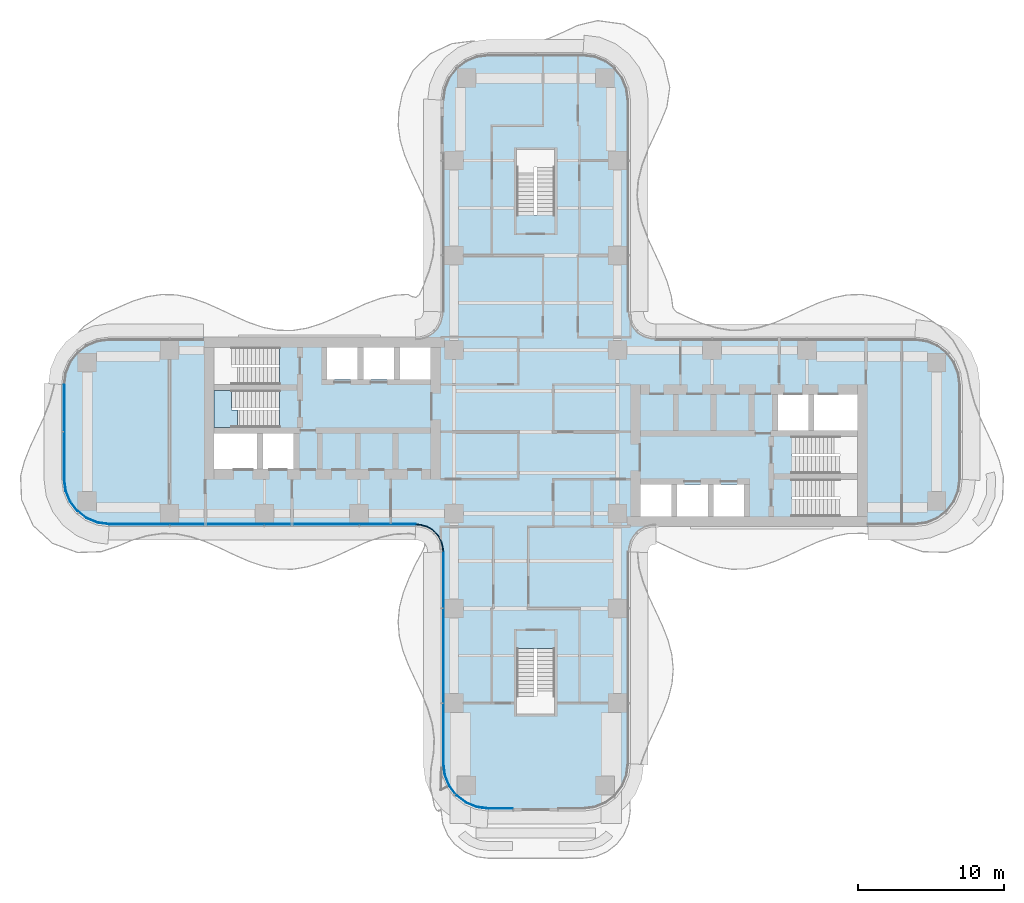
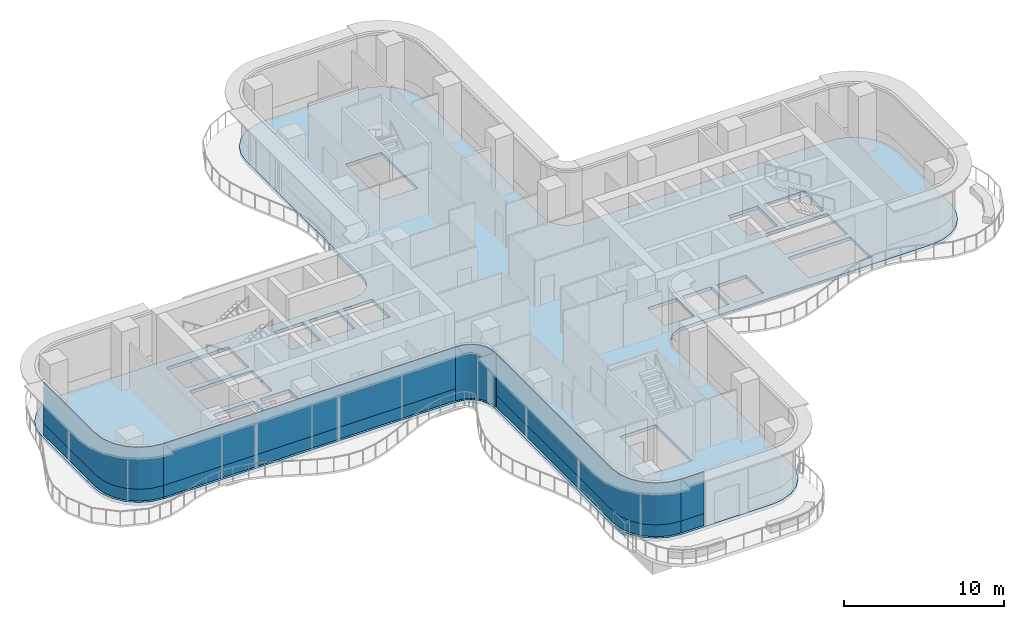
# One storey, part 13 of 22: 9 plates, 2 slabs, 6 elements without a shape of their own.
"""IFC4 building model written with IfcOpenShell, lengths in metres."""

from ifc_helpers import new_model, si_unit, direction, frame, origin, place, context, subcontext, project, spatial, polyline, outline, extrude, source, transform, mapped, material, layer, layer_set, type_object, element, aggregate, save


model = new_model("IFC4")

# Units and contexts
model_context = context("Model", 3, precision=1e-05, world=origin(), true_north=direction((0.0, 1.0)))
body_context = subcontext(model_context, "Body", "Model", "MODEL_VIEW")
ifc_project = project(units=[si_unit("LENGTHUNIT", "METRE"), si_unit("AREAUNIT", "SQUARE_METRE"), si_unit("VOLUMEUNIT", "CUBIC_METRE"), si_unit("PLANEANGLEUNIT", "RADIAN"), si_unit("MASSUNIT", "GRAM", prefix="KILO")], contexts=[model_context])

# Site, building, storey
site_placement = place(None, origin())
site = spatial("IfcSite", under=ifc_project, at=site_placement, CompositionType="ELEMENT")
building_placement = place(site_placement, origin())
building = spatial("IfcBuilding", under=site, at=building_placement, Name="Trellis Farm Tower", CompositionType="ELEMENT")
storey_placement = place(building_placement, frame((0.0, 0.0, 124.5)))
storey = spatial("IfcBuildingStorey", under=building, at=storey_placement, Name="L26", CompositionType="ELEMENT", Elevation=124.5)

# Curtain wall, plates
ifc_material_1 = material(Name="Aluminium and glass curtain wall", Category="aluminium")
ifc_layer_1 = layer(ifc_material_1, 0.18994140625)
ifc_layer_set_1 = layer_set([ifc_layer_1], Name="RIBBON CURTAIN WALL CW1")
curtain_wall_type_1 = type_object("IfcCurtainWallType", Name="RIBBON CURTAIN WALL CW1", PredefinedType="NOTDEFINED", material=ifc_layer_set_1)
placement_1 = place(storey_placement, origin())
curtain_wall_1 = element("IfcCurtainWall", 1, at=placement_1, inside=storey, type_object=curtain_wall_type_1, Name="CW1 003", PredefinedType="NOTDEFINED")
ifc_material_2 = material(Name="Clear insulated glass", Category="glass")
ifc_layer_2 = layer(ifc_material_2, 0.0400390625)
ifc_layer_set_2 = layer_set([ifc_layer_2], Name="CW1 GLASS PANEL 40")
plate_type_1 = type_object("IfcPlateType", Name="CW1 GLASS PANEL 40", PredefinedType="CURTAIN_PANEL", material=ifc_layer_set_2)
placement_2 = place(storey_placement, frame((0.0, 0.0, 0.89990234375)))
plate_1 = element("IfcPlate", 2, at=placement_2, type_object=plate_type_1, Name="PL1 003", PredefinedType="CURTAIN_PANEL", context=body_context, shape_type="SweptSolid", body=[
    extrude(outline(polyline([(-3.240234375, -25.85009765625), (-1.56005859375, -25.85009765625), (-1.56005859375, -25.81005859375), (-3.237548828125, -25.81005859375), (-3.240234375, -25.85009765625)])), origin(), (0.0, 0.0, 1.0), 3.170166015625),
])
ifc_material_3 = material(Name="Sandstone faced insulated panel", Category="masonry")
ifc_layer_3 = layer(ifc_material_3, 0.050048828125)
ifc_layer_set_3 = layer_set([ifc_layer_3], Name="CW1 STONE SPANDREL PANEL 50")
plate_type_2 = type_object("IfcPlateType", Name="CW1 STONE SPANDREL PANEL 50", PredefinedType="CURTAIN_PANEL", material=ifc_layer_set_3)
plate_2 = element("IfcPlate", 3, at=placement_1, type_object=plate_type_2, Name="PS1 003", PredefinedType="CURTAIN_PANEL", context=body_context, shape_type="SweptSolid", body=[
    extrude(outline(polyline([(-3.240234375, -25.85009765625), (-1.56005859375, -25.85009765625), (-1.56005859375, -25.800048828125), (-3.23681640625, -25.800048828125), (-3.240234375, -25.85009765625)])), origin(), (0.0, 0.0, 1.0), 0.89990234375),
])
aggregate(curtain_wall_1, [plate_1, plate_2])

# Slab
ifc_material_4 = material(Name="Concrete C40/50", Category="concrete")
ifc_layer_4 = layer(ifc_material_4, 0.25)
ifc_layer_set_4 = layer_set([ifc_layer_4], Name="Composite deck floor slab 250")
slab_type_1 = type_object("IfcSlabType", Name="Composite deck floor slab 250", PredefinedType="FLOOR", material=ifc_layer_set_4)
shared_shape_1 = source(origin(), body_context, "Body", "SweptSolid", [
    extrude(outline(polyline([(-30.09130859375, -6.389404296875), (-30.875, -6.064697265625), (-31.548095703125, -5.548095703125), (-32.064697265625, -4.875), (-32.389404296875, -4.09130859375), (-32.5, -3.25), (-32.5, 3.25), (-32.389404296875, 4.09130859375), (-32.064697265625, 4.875), (-31.548095703125, 5.548095703125), (-30.875, 6.064697265625), (-30.09130859375, 6.389404296875), (-29.25, 6.5), (-8.2314453125, 6.5), (-8.01953125, 6.513916015625), (-7.91552734375, 6.527587890625), (-7.508544921875, 6.63671875), (-7.144287109375, 6.846923828125), (-6.846923828125, 7.144287109375), (-6.63671875, 7.508544921875), (-6.527587890625, 7.91552734375), (-6.513916015625, 8.01953125), (-6.5, 8.2314453125), (-6.5, 22.75), (-6.389404296875, 23.59130859375), (-6.064697265625, 24.375), (-5.548095703125, 25.048095703125), (-4.875, 25.564697265625), (-4.09130859375, 25.889404296875), (-3.25, 26.0), (3.25, 26.0), (4.09130859375, 25.889404296875), (4.875, 25.564697265625), (5.548095703125, 25.048095703125), (6.064697265625, 24.375), (6.389404296875, 23.59130859375), (6.5, 22.75), (6.5, 8.2314453125), (6.513916015625, 8.01953125), (6.527587890625, 7.91552734375), (6.63671875, 7.508544921875), (6.846923828125, 7.144287109375), (7.144287109375, 6.846923828125), (7.508544921875, 6.63671875), (7.91552734375, 6.527587890625), (8.01953125, 6.513916015625), (8.2314453125, 6.5), (26.0, 6.5), (26.84130859375, 6.389404296875), (27.625, 6.064697265625), (28.298095703125, 5.548095703125), (28.814697265625, 4.875), (29.139404296875, 4.09130859375), (29.25, 3.25), (29.25, -3.25), (29.139404296875, -4.09130859375), (28.814697265625, -4.875), (28.298095703125, -5.548095703125), (27.625, -6.064697265625), (26.84130859375, -6.389404296875), (26.0, -6.5), (8.2314453125, -6.5), (8.01953125, -6.513916015625), (7.91552734375, -6.527587890625), (7.508544921875, -6.63671875), (7.144287109375, -6.846923828125), (6.846923828125, -7.144287109375), (6.63671875, -7.508544921875), (6.527587890625, -7.91552734375), (6.513916015625, -8.01953125), (6.5, -8.2314453125), (6.5, -22.75), (6.389404296875, -23.59130859375), (6.064697265625, -24.375), (5.548095703125, -25.048095703125), (4.875, -25.564697265625), (4.09130859375, -25.889404296875), (3.25, -26.0), (-3.25, -26.0), (-4.09130859375, -25.889404296875), (-4.875, -25.564697265625), (-5.548095703125, -25.048095703125), (-6.064697265625, -24.375), (-6.389404296875, -23.59130859375), (-6.5, -22.75), (-6.5, -8.2314453125), (-6.513916015625, -8.01953125), (-6.527587890625, -7.91552734375), (-6.63671875, -7.508544921875), (-6.846923828125, -7.144287109375), (-7.144287109375, -6.846923828125), (-7.508544921875, -6.63671875), (-7.91552734375, -6.527587890625), (-8.01953125, -6.513916015625), (-8.2314453125, -6.5), (-29.25, -6.5), (-30.09130859375, -6.389404296875)]), holes=[polyline([(-22.050048828125, -0.10009765625), (-22.050048828125, -2.550048828125), (-19.10009765625, -2.550048828125), (-19.10009765625, -0.10009765625), (-22.050048828125, -0.10009765625)]), polyline([(-18.699951171875, -0.10009765625), (-18.699951171875, -2.550048828125), (-16.60009765625, -2.550048828125), (-16.60009765625, -0.10009765625), (-18.699951171875, -0.10009765625)]), polyline([(-17.56201171875, 1.64990234375), (-17.56201171875, 2.85009765625), (-22.050048828125, 2.85009765625), (-22.050048828125, 0.300048828125), (-17.56005859375, 0.300048828125), (-17.56005859375, 1.5), (-17.550048828125, 1.5), (-17.550048828125, 1.64990234375), (-17.56201171875, 1.64990234375)]), polyline([(-17.56201171875, 4.60009765625), (-17.56201171875, 5.800048828125), (-22.050048828125, 5.800048828125), (-22.050048828125, 3.25), (-17.56005859375, 3.25), (-17.56005859375, 4.449951171875), (-17.550048828125, 4.449951171875), (-17.550048828125, 4.60009765625), (-17.56201171875, 4.60009765625)]), polyline([(-14.300048828125, 5.800048828125), (-14.300048828125, 3.60009765625), (-12.199951171875, 3.60009765625), (-12.199951171875, 5.800048828125), (-14.300048828125, 5.800048828125)]), polyline([(-11.800048828125, 5.800048828125), (-11.800048828125, 3.60009765625), (-9.699951171875, 3.60009765625), (-9.699951171875, 5.800048828125), (-11.800048828125, 5.800048828125)]), polyline([(-9.300048828125, 5.800048828125), (-9.300048828125, 3.60009765625), (-7.199951171875, 3.60009765625), (-7.199951171875, 5.800048828125), (-9.300048828125, 5.800048828125)]), polyline([(0.10009765625, 14.862060546875), (1.300048828125, 14.862060546875), (1.300048828125, 19.35009765625), (-1.300048828125, 19.35009765625), (-1.300048828125, 14.860107421875), (-0.10009765625, 14.860107421875), (-0.10009765625, 14.85009765625), (0.10009765625, 14.85009765625), (0.10009765625, 14.862060546875)]), polyline([(-0.10009765625, -14.862060546875), (-1.300048828125, -14.862060546875), (-1.300048828125, -19.35009765625), (1.300048828125, -19.35009765625), (1.300048828125, -14.860107421875), (0.10009765625, -14.860107421875), (0.10009765625, -14.85009765625), (-0.10009765625, -14.85009765625), (-0.10009765625, -14.862060546875)]), polyline([(9.300048828125, -5.800048828125), (9.300048828125, -3.60009765625), (7.199951171875, -3.60009765625), (7.199951171875, -5.800048828125), (9.300048828125, -5.800048828125)]), polyline([(11.800048828125, -5.800048828125), (11.800048828125, -3.60009765625), (9.699951171875, -3.60009765625), (9.699951171875, -5.800048828125), (11.800048828125, -5.800048828125)]), polyline([(14.300048828125, -5.800048828125), (14.300048828125, -3.60009765625), (12.199951171875, -3.60009765625), (12.199951171875, -5.800048828125), (14.300048828125, -5.800048828125)]), polyline([(17.56201171875, -4.60009765625), (17.56201171875, -5.800048828125), (22.050048828125, -5.800048828125), (22.050048828125, -3.25), (17.56005859375, -3.25), (17.56005859375, -4.449951171875), (17.550048828125, -4.449951171875), (17.550048828125, -4.60009765625), (17.56201171875, -4.60009765625)]), polyline([(17.56201171875, -1.64990234375), (17.56201171875, -2.85009765625), (22.050048828125, -2.85009765625), (22.050048828125, -0.300048828125), (17.56005859375, -0.300048828125), (17.56005859375, -1.5), (17.550048828125, -1.5), (17.550048828125, -1.64990234375), (17.56201171875, -1.64990234375)]), polyline([(18.699951171875, 0.10009765625), (18.699951171875, 2.550048828125), (16.60009765625, 2.550048828125), (16.60009765625, 0.10009765625), (18.699951171875, 0.10009765625)]), polyline([(22.050048828125, 0.10009765625), (22.050048828125, 2.550048828125), (19.10009765625, 2.550048828125), (19.10009765625, 0.10009765625), (22.050048828125, 0.10009765625)])]), origin(), (0.0, 0.0, 1.0), 0.25),
])
slab_1_placement = place(storey_placement, frame((0.0, 0.0, -0.25)))
element("IfcSlab", 4, at=slab_1_placement, inside=storey, type_object=slab_type_1, Name="Floor slab", PredefinedType="FLOOR", context=body_context, shape_type="MappedRepresentation", body=[
    mapped(shared_shape_1, transform((0.0, 0.0, 0.0))),
])

# Stair, slab
ifc_material_5 = material(Name="Concrete C50/60", Category="concrete")
stair_type = type_object("IfcStairType", Name="CORE EXIT STAIR 26 RISERS 173 MM", PredefinedType="HALF_TURN_STAIR", material=ifc_material_5)
stair = element("IfcStair", 5, at=placement_1, inside=storey, type_object=stair_type, Name="Exit stair W2", PredefinedType="HALF_TURN_STAIR")
ifc_layer_5 = layer(ifc_material_5, 0.18994140625)
ifc_layer_set_5 = layer_set([ifc_layer_5], Name="CORE STAIR LANDING 190 CONCRETE C50/60")
slab_type_2 = type_object("IfcSlabType", Name="CORE STAIR LANDING 190 CONCRETE C50/60", PredefinedType="LANDING", material=ifc_layer_set_5)
shared_shape_2 = source(origin(), body_context, "Body", "SweptSolid", [
    extrude(outline(polyline([(-20.453125, 1.5), (-20.453125, 0.300048828125), (-20.85009765625, 0.300048828125), (-22.050048828125, 0.300048828125), (-22.050048828125, 2.85009765625), (-20.85009765625, 2.85009765625), (-20.840087890625, 2.85009765625), (-20.840087890625, 1.64990234375), (-20.85009765625, 1.64990234375), (-20.85009765625, 1.5), (-20.453125, 1.5)])), origin(), (0.0, 0.0, 1.0), 0.18994140625),
])
slab_2_placement = place(storey_placement, frame((0.0, 0.0, 2.06005859375)))
slab_2 = element("IfcSlab", 6, at=slab_2_placement, type_object=slab_type_2, Name="STW2 landing 1", PredefinedType="LANDING", context=body_context, shape_type="MappedRepresentation", body=[
    mapped(shared_shape_2, transform((0.0, 0.0, 0.0))),
])
aggregate(stair, [slab_2])

# Curtain wall, plates
curtain_wall_2 = element("IfcCurtainWall", 7, at=placement_1, inside=storey, type_object=curtain_wall_type_1, Name="CW1 001", PredefinedType="NOTDEFINED")
shared_shape_3 = source(origin(), body_context, "Body", "SweptSolid", [
    extrude(outline(polyline([(-29.240234375, -6.35009765625), (-8.2265625, -6.35009765625), (-8.22509765625, -6.31005859375), (-29.237548828125, -6.31005859375), (-29.240234375, -6.35009765625)])), origin(), (0.0, 0.0, 1.0), 3.170166015625),
])
plate_3 = element("IfcPlate", 8, at=placement_2, type_object=plate_type_1, Name="PL1 001", PredefinedType="CURTAIN_PANEL", context=body_context, shape_type="MappedRepresentation", body=[
    mapped(shared_shape_3, transform((0.0, 0.0, 0.0))),
])
shared_shape_4 = source(origin(), body_context, "Body", "SweptSolid", [
    extrude(outline(polyline([(-29.240234375, -6.35009765625), (-8.2265625, -6.35009765625), (-8.224853515625, -6.300048828125), (-29.23681640625, -6.300048828125), (-29.240234375, -6.35009765625)])), origin(), (0.0, 0.0, 1.0), 0.89990234375),
])
plate_4 = element("IfcPlate", 9, at=placement_1, type_object=plate_type_2, Name="PS1 001", PredefinedType="CURTAIN_PANEL", context=body_context, shape_type="MappedRepresentation", body=[
    mapped(shared_shape_4, transform((0.0, 0.0, 0.0))),
])
aggregate(curtain_wall_2, [plate_3, plate_4])

# Curtain wall, plate
ifc_layer_6 = layer(ifc_material_1, 0.166015625)
ifc_layer_set_6 = layer_set([ifc_layer_6], Name="WINTER GARDEN CURTAIN WALL CW3")
curtain_wall_type_2 = type_object("IfcCurtainWallType", Name="WINTER GARDEN CURTAIN WALL CW3", PredefinedType="NOTDEFINED", material=ifc_layer_set_6)
curtain_wall_3 = element("IfcCurtainWall", 10, at=placement_1, inside=storey, type_object=curtain_wall_type_2, Name="CW3 001", PredefinedType="NOTDEFINED")
ifc_layer_7 = layer(ifc_material_2, 0.0458984375)
ifc_layer_set_7 = layer_set([ifc_layer_7], Name="CW3 GLASS PANEL 46")
plate_type_3 = type_object("IfcPlateType", Name="CW3 GLASS PANEL 46", PredefinedType="CURTAIN_PANEL", material=ifc_layer_set_7)
shared_shape_5 = source(origin(), body_context, "Body", "SweptSolid", [
    extrude(outline(polyline([(-8.2275390625, -6.3798828125), (-8.0078125, -6.394287109375), (-7.89208984375, -6.40966796875), (-7.462158203125, -6.52490234375), (-7.070556640625, -6.7509765625), (-6.7509765625, -7.070556640625), (-6.52490234375, -7.462158203125), (-6.40966796875, -7.89208984375), (-6.394287109375, -8.0078125), (-6.3798828125, -8.2275390625), (-6.333984375, -8.22607421875), (-6.3486328125, -8.003173828125), (-6.364501953125, -7.883056640625), (-6.48193359375, -7.4443359375), (-6.714111328125, -7.04248046875), (-7.04248046875, -6.714111328125), (-7.4443359375, -6.48193359375), (-7.883056640625, -6.364501953125), (-8.003173828125, -6.3486328125), (-8.22607421875, -6.333984375), (-8.2275390625, -6.3798828125)])), origin(), (0.0, 0.0, 1.0), 4.10009765625),
])
plate_5 = element("IfcPlate", 11, at=placement_1, type_object=plate_type_3, Name="PL3 001", PredefinedType="CURTAIN_PANEL", context=body_context, shape_type="MappedRepresentation", body=[
    mapped(shared_shape_5, transform((0.0, 0.0, 0.0))),
])
aggregate(curtain_wall_3, [plate_5])

# Curtain wall, plates
curtain_wall_4 = element("IfcCurtainWall", 12, at=placement_1, inside=storey, type_object=curtain_wall_type_1, Name="CW1 014", PredefinedType="NOTDEFINED")
shared_shape_6 = source(origin(), body_context, "Body", "SweptSolid", [
    extrude(outline(polyline([(-32.35009765625, 3.240234375), (-32.35009765625, -3.240234375), (-32.2431640625, -4.052001953125), (-31.93359375, -4.79931640625), (-31.441162109375, -5.441162109375), (-30.79931640625, -5.93359375), (-30.052001953125, -6.2431640625), (-29.240234375, -6.35009765625), (-29.237548828125, -6.31005859375), (-30.04150390625, -6.2041015625), (-30.779296875, -5.898681640625), (-31.41259765625, -5.41259765625), (-31.898681640625, -4.779296875), (-32.2041015625, -4.04150390625), (-32.31005859375, -3.237548828125), (-32.31005859375, 3.237548828125), (-32.35009765625, 3.240234375)])), origin(), (0.0, 0.0, 1.0), 3.170166015625),
])
plate_6 = element("IfcPlate", 13, at=placement_2, type_object=plate_type_1, Name="PL1 014", PredefinedType="CURTAIN_PANEL", context=body_context, shape_type="MappedRepresentation", body=[
    mapped(shared_shape_6, transform((0.0, 0.0, 0.0))),
])
shared_shape_7 = source(origin(), body_context, "Body", "SweptSolid", [
    extrude(outline(polyline([(-32.35009765625, 3.240234375), (-32.35009765625, -3.240234375), (-32.2431640625, -4.052001953125), (-31.93359375, -4.79931640625), (-31.441162109375, -5.441162109375), (-30.79931640625, -5.93359375), (-30.052001953125, -6.2431640625), (-29.240234375, -6.35009765625), (-29.23681640625, -6.300048828125), (-30.0390625, -6.1943359375), (-30.774169921875, -5.889892578125), (-31.405517578125, -5.405517578125), (-31.889892578125, -4.774169921875), (-32.1943359375, -4.0390625), (-32.300048828125, -3.23681640625), (-32.300048828125, 3.23681640625), (-32.35009765625, 3.240234375)])), origin(), (0.0, 0.0, 1.0), 0.89990234375),
])
plate_7 = element("IfcPlate", 14, at=placement_1, type_object=plate_type_2, Name="PS1 014", PredefinedType="CURTAIN_PANEL", context=body_context, shape_type="MappedRepresentation", body=[
    mapped(shared_shape_7, transform((0.0, 0.0, 0.0))),
])
aggregate(curtain_wall_4, [plate_6, plate_7])

curtain_wall_5 = element("IfcCurtainWall", 15, at=placement_1, inside=storey, type_object=curtain_wall_type_1, Name="CW1 002", PredefinedType="NOTDEFINED")
shared_shape_8 = source(origin(), body_context, "Body", "SweptSolid", [
    extrude(outline(polyline([(-6.35009765625, -8.2265625), (-6.35009765625, -22.740234375), (-6.2431640625, -23.552001953125), (-5.93359375, -24.29931640625), (-5.441162109375, -24.941162109375), (-4.79931640625, -25.43359375), (-4.052001953125, -25.7431640625), (-3.240234375, -25.85009765625), (-3.237548828125, -25.81005859375), (-4.04150390625, -25.7041015625), (-4.779296875, -25.398681640625), (-5.41259765625, -24.91259765625), (-5.898681640625, -24.279296875), (-6.2041015625, -23.54150390625), (-6.31005859375, -22.737548828125), (-6.31005859375, -8.22509765625), (-6.35009765625, -8.2265625)])), origin(), (0.0, 0.0, 1.0), 3.170166015625),
])
plate_8 = element("IfcPlate", 16, at=placement_2, type_object=plate_type_1, Name="PL1 002", PredefinedType="CURTAIN_PANEL", context=body_context, shape_type="MappedRepresentation", body=[
    mapped(shared_shape_8, transform((0.0, 0.0, 0.0))),
])
shared_shape_9 = source(origin(), body_context, "Body", "SweptSolid", [
    extrude(outline(polyline([(-6.35009765625, -8.2265625), (-6.35009765625, -22.740234375), (-6.2431640625, -23.552001953125), (-5.93359375, -24.29931640625), (-5.441162109375, -24.941162109375), (-4.79931640625, -25.43359375), (-4.052001953125, -25.7431640625), (-3.240234375, -25.85009765625), (-3.23681640625, -25.800048828125), (-4.0390625, -25.6943359375), (-4.774169921875, -25.389892578125), (-5.405517578125, -24.905517578125), (-5.889892578125, -24.274169921875), (-6.1943359375, -23.5390625), (-6.300048828125, -22.73681640625), (-6.300048828125, -8.224853515625), (-6.35009765625, -8.2265625)])), origin(), (0.0, 0.0, 1.0), 0.89990234375),
])
plate_9 = element("IfcPlate", 17, at=placement_1, type_object=plate_type_2, Name="PS1 002", PredefinedType="CURTAIN_PANEL", context=body_context, shape_type="MappedRepresentation", body=[
    mapped(shared_shape_9, transform((0.0, 0.0, 0.0))),
])
aggregate(curtain_wall_5, [plate_8, plate_9])

save(model, "model.ifc")
